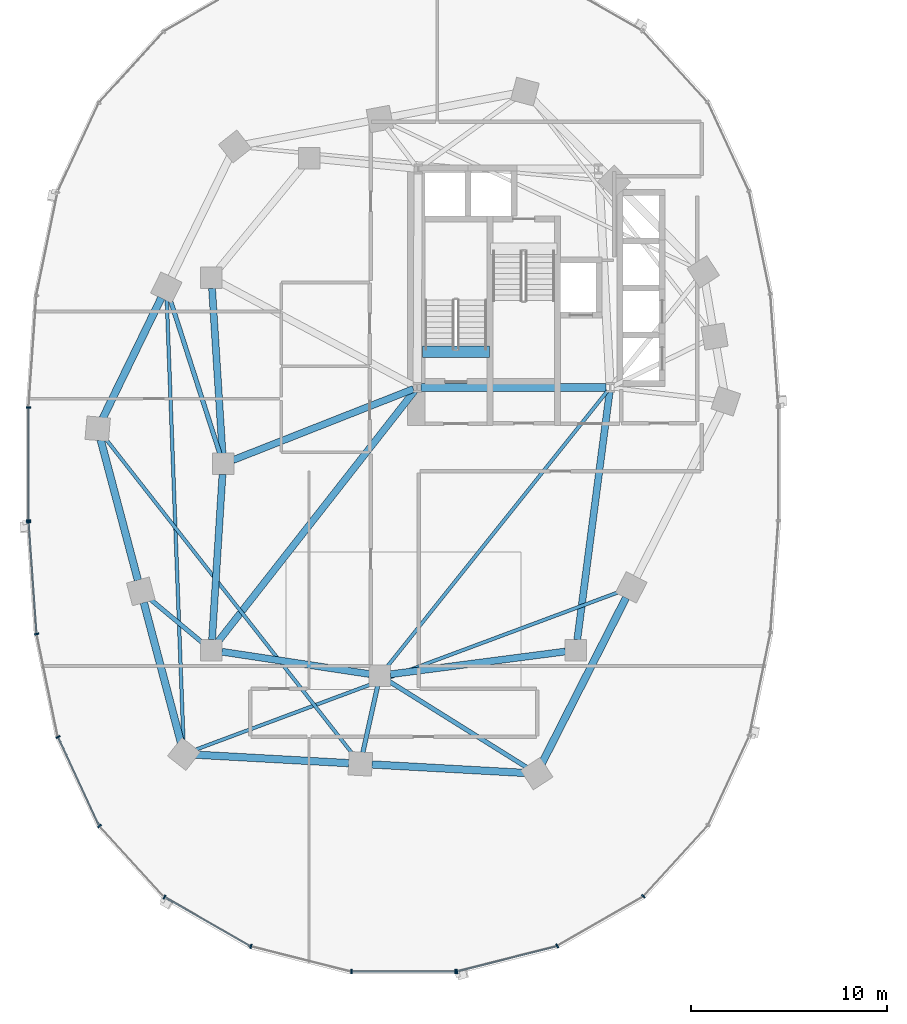
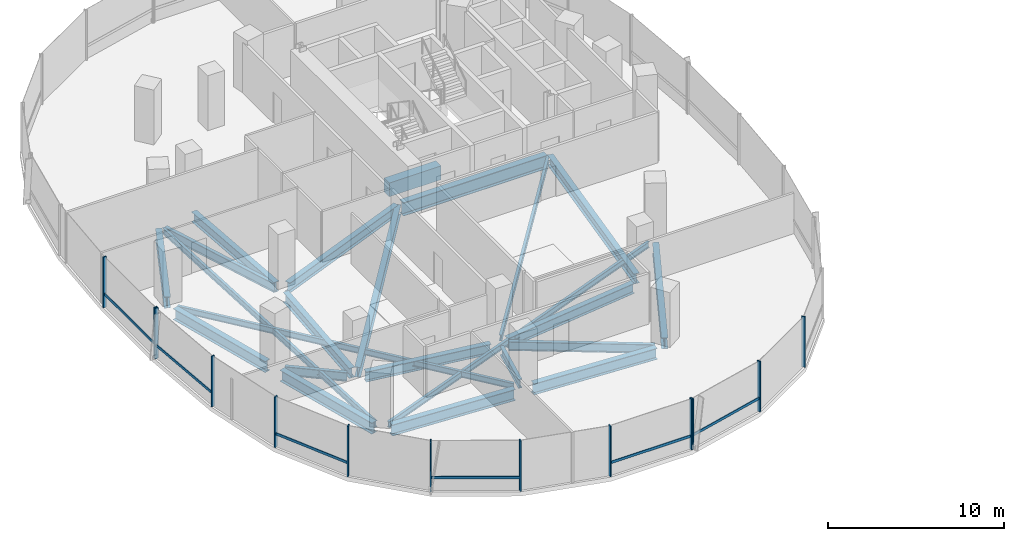
# One storey, part 2 of 21: 23 beams, 19 members, 3 elements without a shape of their own.
"""IFC4 building model written with IfcOpenShell, lengths in metres."""

import ifcopenshell
import ifcopenshell.guid

model = None  # the IFC model being written
_history = None  # IfcOwnerHistory: only IFC2X3 demands one
_inside = {}  # id of a spatial element -> (the spatial element, [elements in it])
_under = {}  # id of a project, library or spatial element -> (it, [spatial elements below it])
_declared = {}  # id of a project -> (the project, [libraries it declares])
_typed = {}  # id of a type object -> (the type object, [elements of that type])
_made_of = {}  # id of a material, layer set ... -> (it, [elements and type objects made of it])


def new_model(schema):
    """Start an empty IFC model of exactly this schema.

    Asked for "IFC4X3", IfcOpenShell would pick the latest addendum, in which some entities
    have other attributes; the version numbers below select the first issue.
    IFC2X3 requires an IfcOwnerHistory on every rooted entity: one is made here for all.
    """
    global model, _history
    if schema == "IFC4X3":
        model = ifcopenshell.file(schema_version=(4, 3, 0, 0))
    else:
        model = ifcopenshell.file(schema=schema)
    _inside.clear()
    _under.clear()
    _declared.clear()
    _typed.clear()
    _made_of.clear()
    _history = None
    if model.schema == "IFC2X3":
        org = make("IfcOrganization", Name="unknown")
        user = make(
            "IfcPersonAndOrganization",
            ThePerson=make("IfcPerson", FamilyName="unknown"),
            TheOrganization=org,
        )
        app = make(
            "IfcApplication",
            ApplicationDeveloper=org,
            Version="unknown",
            ApplicationFullName="unknown",
            ApplicationIdentifier="unknown",
        )
        _history = make(
            "IfcOwnerHistory",
            OwningUser=user,
            OwningApplication=app,
            ChangeAction="ADDED",
            CreationDate=0,
        )
    return model


def make(cls, **values):
    """One entity of the class cls with the attributes given. An attribute that is None is left unset."""
    return model.create_entity(
        cls, **{name: value for name, value in values.items() if value is not None}
    )


def rooted(cls, **values):
    """An entity with a GlobalId (a new one), such as an element, a storey or a relation."""
    return make(cls, GlobalId=ifcopenshell.guid.new(), OwnerHistory=_history, **values)


def si_unit(unit_type, name, prefix=None):
    """IfcSIUnit, for example si_unit("LENGTHUNIT", "METRE", prefix="MILLI")."""
    return make("IfcSIUnit", UnitType=unit_type, Prefix=prefix, Name=name)


def assignment(units):
    """IfcUnitAssignment: the units of a project."""
    return None if units is None else make("IfcUnitAssignment", Units=units)


def point(xyz):
    """IfcCartesianPoint."""
    return None if xyz is None else make("IfcCartesianPoint", Coordinates=xyz)


def direction(xyz):
    """IfcDirection."""
    return None if xyz is None else make("IfcDirection", DirectionRatios=xyz)


def frame(location, z_axis=None, x_axis=None):
    """IfcAxis2Placement3D, a coordinate frame: its origin and axes. An axis left out is left unset."""
    return make(
        "IfcAxis2Placement3D",
        Location=point(location),
        Axis=direction(z_axis),
        RefDirection=direction(x_axis),
    )


def frame_2d(location, x_axis=None):
    """IfcAxis2Placement2D, a coordinate frame in the plane: its origin and x axis."""
    return make(
        "IfcAxis2Placement2D", Location=point(location), RefDirection=direction(x_axis)
    )


def origin():
    """The frame at (0, 0, 0) with its axes left unset."""
    return frame((0.0, 0.0, 0.0))


def origin_2d():
    """The frame at (0, 0) in the plane with its x axis left unset."""
    return frame_2d((0.0, 0.0))


def place(relative_to, where):
    """IfcLocalPlacement: puts the frame where relative to a parent placement (None: the world)."""
    return make(
        "IfcLocalPlacement", PlacementRelTo=relative_to, RelativePlacement=where
    )


def context(
    kind, dimensions, precision=None, world=None, true_north=None, identifier=None
):
    """IfcGeometricRepresentationContext, for example the 3D "Model" context."""
    return make(
        "IfcGeometricRepresentationContext",
        ContextIdentifier=identifier,
        ContextType=kind,
        CoordinateSpaceDimension=dimensions,
        Precision=precision,
        WorldCoordinateSystem=world,
        TrueNorth=true_north,
    )


def subcontext(parent, identifier, kind, view, scale=None):
    """IfcGeometricRepresentationSubContext, for example "Body" below "Model"."""
    return make(
        "IfcGeometricRepresentationSubContext",
        ContextIdentifier=identifier,
        ContextType=kind,
        ParentContext=parent,
        TargetScale=scale,
        TargetView=view,
    )


def project(units=None, contexts=None):
    """IfcProject with its units and contexts."""
    return rooted(
        "IfcProject",
        Name="project",
        RepresentationContexts=contexts,
        UnitsInContext=assignment(units),
    )


def spatial(cls, under=None, at=None, **own):
    """A site, building, storey or space (cls), placed at a placement, below another one or the project."""
    s = rooted(cls, ObjectPlacement=at, **own)
    if under is not None:
        _under.setdefault(under.id(), (under, []))[1].append(s)
    return s


def profile(cls, at=None, kind="AREA", **sizes):
    """A parametric profile (cls). Its sizes go by their IFC names, for example OverallWidth=200.0."""
    return make(cls, ProfileType=kind, Position=at, **sizes)


def rectangle(**sizes):
    """IfcRectangleProfileDef."""
    return profile("IfcRectangleProfileDef", **sizes)


def i_section(**sizes):
    """IfcIShapeProfileDef."""
    return profile("IfcIShapeProfileDef", **sizes)


def extrude(swept, where, along, depth):
    """IfcExtrudedAreaSolid: the profile swept, set in the frame where, extruded along a direction by depth."""
    return make(
        "IfcExtrudedAreaSolid",
        SweptArea=swept,
        Position=where,
        ExtrudedDirection=direction(along),
        Depth=depth,
    )


def shape(context_of_items, identifier, shape_type, items):
    """IfcShapeRepresentation: the items that make up one representation, for example the "Body"."""
    return make(
        "IfcShapeRepresentation",
        ContextOfItems=context_of_items,
        RepresentationIdentifier=identifier,
        RepresentationType=shape_type,
        Items=items,
    )


def material(Name=None, Category=None):
    """IfcMaterial."""
    return make("IfcMaterial", Name=Name, Category=Category)


def material_profile(
    of_material, cross_section, Name=None, Category=None, Priority=None
):
    """IfcMaterialProfile: a cross section and its material."""
    return make(
        "IfcMaterialProfile",
        Name=Name,
        Material=of_material,
        Profile=cross_section,
        Priority=Priority,
        Category=Category,
    )


def profile_set(profiles, Name=None, composite=None):
    """IfcMaterialProfileSet."""
    return make(
        "IfcMaterialProfileSet",
        Name=Name,
        MaterialProfiles=profiles,
        CompositeProfile=composite,
    )


def made_of(thing, what):
    """Note that an element or type object is made of a material, layer set ...; save() writes the relation."""
    if what is not None:
        _made_of.setdefault(what.id(), (what, []))[1].append(thing)
    return thing


def type_object(cls, material=None, **own):
    """A type object (cls), such as IfcWallType, which elements share."""
    return made_of(rooted(cls, **own), material)


def element(
    cls,
    number,
    at=None,
    inside=None,
    cuts=None,
    type_object=None,
    material=None,
    context=None,
    identifier="Body",
    shape_type=None,
    held_by="IfcProductDefinitionShape",
    body=None,
    shapes=None,
    **own,
):
    """One element of the class cls, such as IfcWall. Its Tag is "e" and its number.

    at: its placement. inside: the storey or other place that contains it. cuts: it is an
    opening in that element (IfcRelVoidsElement). A single representation is given by context,
    identifier, shape_type and body (its items); several are given by shapes. held_by: the class
    of the entity that holds the representations. save() writes the other relations.
    """
    e = rooted(cls, Tag="e%d" % number, ObjectPlacement=at, **own)
    if body is not None:
        shapes = [shape(context, identifier, shape_type, body)]
    if shapes is not None:
        e.Representation = make(held_by, Representations=shapes)
    if inside is not None:
        _inside.setdefault(inside.id(), (inside, []))[1].append(e)
    if cuts is not None:
        rooted(
            "IfcRelVoidsElement", RelatingBuildingElement=cuts, RelatedOpeningElement=e
        )
    if type_object is not None:
        _typed.setdefault(type_object.id(), (type_object, []))[1].append(e)
    return made_of(e, material)


def aggregate(whole, parts):
    """IfcRelAggregates: a whole, such as a stair, and the parts it consists of."""
    return rooted("IfcRelAggregates", RelatingObject=whole, RelatedObjects=parts)


def save(model, path):
    """Write the relations noted so far, then the file.

    IfcRelAggregates (storeys below a building ...), IfcRelContainedInSpatialStructure (elements
    in a storey), IfcRelDefinesByType, IfcRelAssociatesMaterial and IfcRelDeclares: one each for
    every whole, place, type object, material and project.
    """
    for whole, parts in _under.values():
        aggregate(whole, parts)
    for where, things in _inside.values():
        rooted(
            "IfcRelContainedInSpatialStructure",
            RelatedElements=things,
            RelatingStructure=where,
        )
    for kind, things in _typed.values():
        rooted("IfcRelDefinesByType", RelatedObjects=things, RelatingType=kind)
    for what, things in _made_of.values():
        rooted("IfcRelAssociatesMaterial", RelatedObjects=things, RelatingMaterial=what)
    for by, libraries in _declared.values():
        rooted("IfcRelDeclares", RelatingContext=by, RelatedDefinitions=libraries)
    model.write(path)


model = new_model("IFC4")

# Units and contexts
model_context = context("Model", 3, precision=1e-05, world=origin(), true_north=direction((0.0, 1.0)))
body_context = subcontext(model_context, "Body", "Model", "MODEL_VIEW")
ifc_project = project(units=[si_unit("LENGTHUNIT", "METRE"), si_unit("AREAUNIT", "SQUARE_METRE"), si_unit("VOLUMEUNIT", "CUBIC_METRE"), si_unit("PLANEANGLEUNIT", "RADIAN"), si_unit("MASSUNIT", "GRAM", prefix="KILO"), si_unit("THERMODYNAMICTEMPERATUREUNIT", "KELVIN"), si_unit("POWERUNIT", "WATT")], contexts=[model_context])

# Site, building, storey
site_placement = place(None, origin())
site = spatial("IfcSite", under=ifc_project, at=site_placement, CompositionType="ELEMENT")
building_placement = place(site_placement, origin())
building = spatial("IfcBuilding", under=site, at=building_placement, Name="Cundina Bronze Exchange", CompositionType="ELEMENT")
storey_placement = place(building_placement, frame((0.0, 0.0, 46.800048828125)))
storey = spatial("IfcBuildingStorey", under=building, at=storey_placement, Name="L11", CompositionType="ELEMENT", Elevation=46.800048828125)

# Beams
ifc_material_1 = material(Name="Concrete C60/75", Category="concrete")
ifc_material_profile_1 = material_profile(ifc_material_1, rectangle(XDim=0.60009765625, YDim=0.949951171875, at=origin_2d()), Name="RC600X950", Category="concrete")
ifc_profile_set_1 = profile_set([ifc_material_profile_1], Name="Concrete C60/75")
beam_type_1 = type_object("IfcBeamType", Name="BM-COUP-RC950", PredefinedType="LINTEL", material=ifc_profile_set_1)
beam_1_placement = place(storey_placement, frame((-31.02001953125, 5.719970703125, -0.47509765625), z_axis=(1.0, 0.0, 0.0), x_axis=(0.0, 1.0, 0.0)))
element("IfcBeam", 1, at=beam_1_placement, inside=storey, type_object=beam_type_1, Name="L11 Stair W1 Landing Header Beam", PredefinedType="LINTEL", context=body_context, shape_type="SweptSolid", body=[
    extrude(rectangle(XDim=0.60009765625, YDim=0.949951171875, at=origin_2d()), origin(), (0.0, 0.0, 1.0), 3.39990234375),
])
ifc_material_2 = material(Name="Steel ASTM A992 Grade 50", Category="steel")
ifc_material_profile_2 = material_profile(ifc_material_2, i_section(OverallWidth=0.22998046875, OverallDepth=0.616943359375, WebThickness=0.01318359375, FlangeThickness=0.022216796875, FilletRadius=0.013916015625, at=origin_2d()), Name="W24X94", Category="steel")
ifc_profile_set_2 = profile_set([ifc_material_profile_2], Name="Steel ASTM A992 Grade 50")
beam_type_2 = type_object("IfcBeamType", Name="BM-FLR-W24B", PredefinedType="BEAM", material=ifc_profile_set_2)
beam_2_placement = place(storey_placement, frame((-41.364990234375, 0.51220703125, -0.608642578125), z_axis=(-0.306706454167, 0.951804155787, 0.0), x_axis=(-0.951804155787, -0.306706454167, 0.0)))
element("IfcBeam", 2, at=beam_2_placement, inside=storey, type_object=beam_type_2, Name="L11 Leg W Radial Floor Beam 07", PredefinedType="BEAM", context=body_context, shape_type="SweptSolid", body=[
    extrude(i_section(OverallWidth=0.22998046875, OverallDepth=0.616943359375, WebThickness=0.01318359375, FlangeThickness=0.022216796875, FilletRadius=0.013916015625, at=origin_2d()), origin(), (0.0, 0.0, 1.0), 8.329345703125),
])
beam_3_placement = place(storey_placement, frame((-42.21337890625, -9.155517578125, -0.608642578125), z_axis=(-0.768221279597, 0.640184399664, 0.0), x_axis=(-0.640184399664, -0.768221279597, 0.0)))
element("IfcBeam", 3, at=beam_3_placement, inside=storey, type_object=beam_type_2, Name="L11 Leg W Radial Floor Beam 09", PredefinedType="BEAM", context=body_context, shape_type="SweptSolid", body=[
    extrude(i_section(OverallWidth=0.22998046875, OverallDepth=0.616943359375, WebThickness=0.01318359375, FlangeThickness=0.022216796875, FilletRadius=0.013916015625, at=origin_2d()), origin(), (0.0, 0.0, 1.0), 3.56005859375),
])
beam_4_placement = place(storey_placement, frame((-33.316650390625, -11.3251953125, -0.608642578125), z_axis=(-0.216960137628, -0.976180464197, 0.0), x_axis=(0.976180464197, -0.216960137628, 0.0)))
element("IfcBeam", 4, at=beam_4_placement, inside=storey, type_object=beam_type_2, Name="L11 Leg W Radial Floor Beam 11", PredefinedType="BEAM", context=body_context, shape_type="SweptSolid", body=[
    extrude(i_section(OverallWidth=0.22998046875, OverallDepth=0.616943359375, WebThickness=0.01318359375, FlangeThickness=0.022216796875, FilletRadius=0.013916015625, at=origin_2d()), origin(), (0.0, 0.0, 1.0), 3.48388671875),
])
beam_5_placement = place(storey_placement, frame((-32.743896484375, -11.085205078125, -0.608642578125), z_axis=(0.848014812458, -0.529972525563, 0.0), x_axis=(0.529972525563, 0.848014812458, 0.0)))
element("IfcBeam", 5, at=beam_5_placement, inside=storey, type_object=beam_type_2, Name="L11 Leg W Radial Floor Beam 12", PredefinedType="BEAM", context=body_context, shape_type="SweptSolid", body=[
    extrude(i_section(OverallWidth=0.22998046875, OverallDepth=0.616943359375, WebThickness=0.01318359375, FlangeThickness=0.022216796875, FilletRadius=0.013916015625, at=origin_2d()), origin(), (0.0, 0.0, 1.0), 8.30810546875),
])
ifc_material_profile_3 = material_profile(ifc_material_2, i_section(OverallWidth=0.178955078125, OverallDepth=0.409912109375, WebThickness=0.0087890625, FlangeThickness=0.014404296875, FilletRadius=0.010986328125, at=origin_2d()), Name="W16X45", Category="steel")
ifc_profile_set_3 = profile_set([ifc_material_profile_3], Name="Steel ASTM A992 Grade 50")
beam_type_3 = type_object("IfcBeamType", Name="BM-JST-W16", PredefinedType="JOIST", material=ifc_profile_set_3)
beam_6_placement = place(storey_placement, frame((-21.577392578125, 3.740478515625, -0.505126953125), z_axis=(-0.62436887964, -0.781129632095, 0.0), x_axis=(0.781129632095, -0.62436887964, 0.0)))
element("IfcBeam", 6, at=beam_6_placement, inside=storey, type_object=beam_type_3, Name="L11 W Interior Core-to-Ring Joist 2", PredefinedType="JOIST", context=body_context, shape_type="SweptSolid", body=[
    extrude(i_section(OverallWidth=0.178955078125, OverallDepth=0.409912109375, WebThickness=0.0087890625, FlangeThickness=0.014404296875, FilletRadius=0.010986328125, at=origin_2d()), origin(), (0.0, 0.0, 1.0), 18.076904296875),
])
beam_7_placement = place(storey_placement, frame((-44.077880859375, 8.412353515625, -0.505126953125), z_axis=(0.037794949147, -0.999285515666, 0.0), x_axis=(0.999285515666, 0.037794949147, 0.0)))
element("IfcBeam", 7, at=beam_7_placement, inside=storey, type_object=beam_type_3, Name="L11 Leg W Lobe Floor Joist 07-10", PredefinedType="JOIST", context=body_context, shape_type="SweptSolid", body=[
    extrude(i_section(OverallWidth=0.178955078125, OverallDepth=0.409912109375, WebThickness=0.0087890625, FlangeThickness=0.014404296875, FilletRadius=0.010986328125, at=origin_2d()), origin(), (0.0, 0.0, 1.0), 22.640869140625),
])
beam_8_placement = place(storey_placement, frame((-47.2373046875, 1.337158203125, -0.505126953125), z_axis=(0.616803089524, -0.787117493614, 0.0), x_axis=(0.787117493614, 0.616803089524, 0.0)))
element("IfcBeam", 8, at=beam_8_placement, inside=storey, type_object=beam_type_3, Name="L11 Leg W Lobe Floor Joist 08-11", PredefinedType="JOIST", context=body_context, shape_type="SweptSolid", body=[
    extrude(i_section(OverallWidth=0.178955078125, OverallDepth=0.409912109375, WebThickness=0.0087890625, FlangeThickness=0.014404296875, FilletRadius=0.010986328125, at=origin_2d()), origin(), (0.0, 0.0, 1.0), 20.548828125),
])
beam_9_placement = place(storey_placement, frame((-42.64892578125, -14.5947265625, -0.505126953125), z_axis=(0.937127912449, 0.348986068074, 0.0), x_axis=(-0.348986068074, 0.937127912449, 0.0)))
element("IfcBeam", 9, at=beam_9_placement, inside=storey, type_object=beam_type_3, Name="L11 Leg W Lobe Floor Joist 10-13", PredefinedType="JOIST", context=body_context, shape_type="SweptSolid", body=[
    extrude(i_section(OverallWidth=0.178955078125, OverallDepth=0.409912109375, WebThickness=0.0087890625, FlangeThickness=0.014404296875, FilletRadius=0.010986328125, at=origin_2d()), origin(), (0.0, 0.0, 1.0), 23.18017578125),
])
ifc_material_profile_4 = material_profile(ifc_material_2, i_section(OverallWidth=0.35498046875, OverallDepth=0.695068359375, WebThickness=0.015380859375, FlangeThickness=0.02490234375, FilletRadius=0.01806640625, at=origin_2d()), Name="W27X146", Category="steel")
ifc_profile_set_4 = profile_set([ifc_material_profile_4], Name="Steel ASTM A992 Grade 50")
beam_type_4 = type_object("IfcBeamType", Name="BM-RING-W27", PredefinedType="USERDEFINED", material=ifc_profile_set_4)
for number, where, z_axis, x_axis, name in (
    (10, (-41.76611328125, 8.963134765625, -0.6474609375), (0.06303715519, -0.998011180832, 0.0), (0.998011180832, 0.06303715519, 0.0), "L11 W Inner Structural Ring Girder 03"),
    (11, (-41.23388671875, -0.536865234375, -0.6474609375), (-0.06303715519, -0.998011180832, 0.0), (0.998011180832, -0.06303715519, 0.0), "L11 W Inner Structural Ring Girder 04"),
):
    element("IfcBeam", number, at=place(storey_placement, frame(where, z_axis=z_axis, x_axis=x_axis)), inside=storey, type_object=beam_type_4, Name=name, ObjectType="GIRDER", PredefinedType="USERDEFINED", context=body_context, shape_type="SweptSolid", body=[
        extrude(i_section(OverallWidth=0.35498046875, OverallDepth=0.695068359375, WebThickness=0.015380859375, FlangeThickness=0.02490234375, FilletRadius=0.01806640625, at=origin_2d()), origin(), (0.0, 0.0, 1.0), 8.443115234375),
    ])
beam_10_placement = place(storey_placement, frame((-41.26806640625, -9.580322265625, -0.6474609375), z_axis=(0.988767489563, -0.149461873341, 0.0), x_axis=(0.149461873341, 0.988767489563, 0.0)))
element("IfcBeam", 12, at=beam_10_placement, inside=storey, type_object=beam_type_4, Name="L11 W Inner Structural Ring Girder 05", ObjectType="GIRDER", PredefinedType="USERDEFINED", context=body_context, shape_type="SweptSolid", body=[
    extrude(i_section(OverallWidth=0.35498046875, OverallDepth=0.695068359375, WebThickness=0.015380859375, FlangeThickness=0.02490234375, FilletRadius=0.01806640625, at=origin_2d()), origin(), (0.0, 0.0, 1.0), 7.621826171875),
])
beam_11_placement = place(storey_placement, frame((-32.66650390625, -10.730712890625, -0.6474609375), z_axis=(0.991654577907, 0.128923225666, 0.0), x_axis=(-0.128923225666, 0.991654577907, 0.0)))
element("IfcBeam", 13, at=beam_11_placement, inside=storey, type_object=beam_type_4, Name="L11 W Inner Structural Ring Girder 06", ObjectType="GIRDER", PredefinedType="USERDEFINED", context=body_context, shape_type="SweptSolid", body=[
    extrude(i_section(OverallWidth=0.35498046875, OverallDepth=0.695068359375, WebThickness=0.015380859375, FlangeThickness=0.02490234375, FilletRadius=0.01806640625, at=origin_2d()), origin(), (0.0, 0.0, 1.0), 9.00830078125),
])
beam_12_placement = place(storey_placement, frame((-23.13037109375, -8.966552734375, -0.6474609375), z_axis=(0.129507526533, 0.99157843894, 0.0), x_axis=(-0.99157843894, 0.129507526533, 0.0)))
element("IfcBeam", 14, at=beam_12_placement, inside=storey, type_object=beam_type_4, Name="L11 W Inner Structural Ring Girder 07", ObjectType="GIRDER", PredefinedType="USERDEFINED", context=body_context, shape_type="SweptSolid", body=[
    extrude(i_section(OverallWidth=0.35498046875, OverallDepth=0.695068359375, WebThickness=0.015380859375, FlangeThickness=0.02490234375, FilletRadius=0.01806640625, at=origin_2d()), origin(), (0.0, 0.0, 1.0), 12.77197265625),
])
beam_13_placement = place(storey_placement, frame((-31.48974609375, 3.8251953125, -0.6474609375), z_axis=(-0.930413235418, -0.366512225388, 0.0), x_axis=(0.366512225388, -0.930413235418, 0.0)))
element("IfcBeam", 15, at=beam_13_placement, inside=storey, type_object=beam_type_4, Name="L11 W Core-to-Waist Tie Beam 1", ObjectType="GIRDER", PredefinedType="USERDEFINED", context=body_context, shape_type="SweptSolid", body=[
    extrude(i_section(OverallWidth=0.35498046875, OverallDepth=0.695068359375, WebThickness=0.015380859375, FlangeThickness=0.02490234375, FilletRadius=0.01806640625, at=origin_2d()), origin(), (0.0, 0.0, 1.0), 9.8984375),
])
beam_14_placement = place(storey_placement, frame((-31.42578125, 3.739501953125, -0.6474609375), z_axis=(-0.616789275748, -0.787128318206, 0.0), x_axis=(0.787128318206, -0.616789275748, 0.0)))
element("IfcBeam", 16, at=beam_14_placement, inside=storey, type_object=beam_type_4, Name="L11 W Core-to-Waist Tie Beam 3", ObjectType="GIRDER", PredefinedType="USERDEFINED", context=body_context, shape_type="SweptSolid", body=[
    extrude(i_section(OverallWidth=0.35498046875, OverallDepth=0.695068359375, WebThickness=0.015380859375, FlangeThickness=0.02490234375, FilletRadius=0.01806640625, at=origin_2d()), origin(), (0.0, 0.0, 1.0), 16.281982421875),
])
ifc_material_profile_5 = material_profile(ifc_material_2, i_section(OverallWidth=0.381103515625, OverallDepth=0.77294921875, WebThickness=0.0166015625, FlangeThickness=0.027099609375, FilletRadius=0.01904296875, at=origin_2d()), Name="W30X173", Category="steel")
ifc_profile_set_5 = profile_set([ifc_material_profile_5], Name="Steel ASTM A992 Grade 50")
beam_type_5 = type_object("IfcBeamType", Name="BM-RING-W30", PredefinedType="USERDEFINED", material=ifc_profile_set_5)
beam_15_placement = place(storey_placement, frame((-44.357177734375, 8.47119140625, -0.6865234375), z_axis=(-0.437190698904, -0.899368830231, 0.0), x_axis=(0.899368830231, -0.437190698904, 0.0)))
element("IfcBeam", 17, at=beam_15_placement, inside=storey, type_object=beam_type_5, Name="L11 W Perimeter Ring Girder 07", ObjectType="GIRDER", PredefinedType="USERDEFINED", context=body_context, shape_type="SweptSolid", body=[
    extrude(i_section(OverallWidth=0.381103515625, OverallDepth=0.77294921875, WebThickness=0.0166015625, FlangeThickness=0.027099609375, FilletRadius=0.01904296875, at=origin_2d()), origin(), (0.0, 0.0, 1.0), 6.82958984375),
])
for number, where, z_axis, x_axis, name in (
    (18, (-47.44921875, 1.231689453125, -0.6865234375), (0.256177785604, -0.966629682021, 0.0), (0.966629682021, 0.256177785604, 0.0), "L11 W Perimeter Ring Girder 08"),
    (19, (-45.249267578125, -7.068359375, -0.6865234375), (0.256208567826, -0.966621523541, 0.0), (0.966621523541, 0.256208567826, 0.0), "L11 W Perimeter Ring Girder 09"),
):
    element("IfcBeam", number, at=place(storey_placement, frame(where, z_axis=z_axis, x_axis=x_axis)), inside=storey, type_object=beam_type_5, Name=name, ObjectType="GIRDER", PredefinedType="USERDEFINED", context=body_context, shape_type="SweptSolid", body=[
        extrude(i_section(OverallWidth=0.381103515625, OverallDepth=0.77294921875, WebThickness=0.0166015625, FlangeThickness=0.027099609375, FilletRadius=0.01904296875, at=origin_2d()), origin(), (0.0, 0.0, 1.0), 7.41064453125),
    ])
for number, where, z_axis, x_axis, name in (
    (20, (-42.61279296875, -14.83251953125, -0.6865234375), (0.998459969805, -0.055476920391, 0.0), (0.055476920391, 0.998459969805, 0.0), "L11 W Perimeter Ring Girder 10"),
    (21, (-33.61279296875, -15.33251953125, -0.6865234375), (0.998459969805, -0.055476920391, 0.0), (0.055476920391, 0.998459969805, 0.0), "L11 W Perimeter Ring Girder 11"),
):
    element("IfcBeam", number, at=place(storey_placement, frame(where, z_axis=z_axis, x_axis=x_axis)), inside=storey, type_object=beam_type_5, Name=name, ObjectType="GIRDER", PredefinedType="USERDEFINED", context=body_context, shape_type="SweptSolid", body=[
        extrude(i_section(OverallWidth=0.381103515625, OverallDepth=0.77294921875, WebThickness=0.0166015625, FlangeThickness=0.027099609375, FilletRadius=0.01904296875, at=origin_2d()), origin(), (0.0, 0.0, 1.0), 7.837646484375),
    ])
beam_16_placement = place(storey_placement, frame((-24.93359375, -15.275634765625, -0.6865234375), z_axis=(0.452819633606, 0.891602141889, 0.0), x_axis=(-0.891602141889, 0.452819633606, 0.0)))
element("IfcBeam", 22, at=beam_16_placement, inside=storey, type_object=beam_type_5, Name="L11 W Perimeter Ring Girder 12", ObjectType="GIRDER", PredefinedType="USERDEFINED", context=body_context, shape_type="SweptSolid", body=[
    extrude(i_section(OverallWidth=0.381103515625, OverallDepth=0.77294921875, WebThickness=0.0166015625, FlangeThickness=0.027099609375, FilletRadius=0.01904296875, at=origin_2d()), origin(), (0.0, 0.0, 1.0), 9.47900390625),
])
ifc_material_profile_6 = material_profile(ifc_material_2, i_section(OverallWidth=0.41796875, OverallDepth=0.927001953125, WebThickness=0.019287109375, FlangeThickness=0.031982421875, FilletRadius=0.02392578125, at=origin_2d()), Name="W36X231", Category="steel")
ifc_profile_set_6 = profile_set([ifc_material_profile_6], Name="Steel ASTM A992 Grade 50")
beam_type_6 = type_object("IfcBeamType", Name="BM-WRN-W36B", PredefinedType="USERDEFINED", material=ifc_profile_set_6)
beam_17_placement = place(storey_placement, frame((-31.095947265625, 3.89990234375, -0.763427734375), z_axis=(1.0, 0.0, 0.0), x_axis=(0.0, 1.0, 0.0)))
element("IfcBeam", 23, at=beam_17_placement, inside=storey, type_object=beam_type_6, Name="L11 W Core Perimeter Tie Girder 1", ObjectType="GIRDER", PredefinedType="USERDEFINED", context=body_context, shape_type="SweptSolid", body=[
    extrude(i_section(OverallWidth=0.41796875, OverallDepth=0.927001953125, WebThickness=0.019287109375, FlangeThickness=0.031982421875, FilletRadius=0.02392578125, at=origin_2d()), origin(), (0.0, 0.0, 1.0), 9.44189453125),
])

# Curtain wall, members
ifc_material_3 = material(Name="Anodised Bronze Aluminium 6063-T6", Category="aluminium")
curtain_wall_type = type_object("IfcCurtainWallType", Name="CWS-TRD-LOW", PredefinedType="NOTDEFINED", material=ifc_material_3)
curtain_wall_1_placement = place(storey_placement, origin())
curtain_wall_1 = element("IfcCurtainWall", 24, at=curtain_wall_1_placement, inside=storey, type_object=curtain_wall_type, Name="L11 CW-02 Curtain Wall Run CWR-L11-W2", PredefinedType="NOTDEFINED")
ifc_material_profile_7 = material_profile(ifc_material_3, rectangle(XDim=0.074951171875, YDim=0.219970703125, at=origin_2d()), Name="AL75X220", Category="aluminium")
ifc_profile_set_7 = profile_set([ifc_material_profile_7], Name="Anodised Bronze Aluminium 6063-T6")
member_type_1 = type_object("IfcMemberType", Name="CWM-MUL-220", PredefinedType="MULLION", material=ifc_profile_set_7)
member_1_placement = place(storey_placement, frame((-51.1279296875, 2.880615234375, 0.0), z_axis=(0.0, 0.0, 1.0), x_axis=(0.0, -1.0, 0.0)))
member_1 = element("IfcMember", 25, at=member_1_placement, type_object=member_type_1, Name="CW-02 Mullion 7", PredefinedType="MULLION", context=body_context, shape_type="SweptSolid", body=[
    extrude(rectangle(XDim=0.074951171875, YDim=0.219970703125, at=origin_2d()), origin(), (0.0, 0.0, 1.0), 3.5),
])
member_2_placement = place(storey_placement, frame((-51.1279296875, -2.880615234375, 0.0), z_axis=(0.0, 0.0, 1.0), x_axis=(0.0, -1.0, 0.0)))
member_2 = element("IfcMember", 26, at=member_2_placement, type_object=member_type_1, Name="CW-02 End Mullion", PredefinedType="MULLION", context=body_context, shape_type="SweptSolid", body=[
    extrude(rectangle(XDim=0.074951171875, YDim=0.219970703125, at=origin_2d()), origin(), (0.0, 0.0, 1.0), 3.5),
])

curtain_wall_2_placement = place(storey_placement, origin())
curtain_wall_2 = element("IfcCurtainWall", 27, at=curtain_wall_2_placement, inside=storey, type_object=curtain_wall_type, Name="L11 CW-02 Curtain Wall Run CWR-L11-W3", PredefinedType="NOTDEFINED")
member_3_placement = place(storey_placement, frame((-51.12451171875, -2.976318359375, 0.0), z_axis=(0.0, 0.0, 1.0), x_axis=(0.070278787473, -0.997527389113, 0.0)))
member_3 = element("IfcMember", 28, at=member_3_placement, type_object=member_type_1, Name="CW-02 Mullion 1", PredefinedType="MULLION", context=body_context, shape_type="SweptSolid", body=[
    extrude(rectangle(XDim=0.074951171875, YDim=0.219970703125, at=origin_2d()), origin(), (0.0, 0.0, 1.0), 3.5),
])
member_4_placement = place(storey_placement, frame((-50.717041015625, -8.67822265625, 0.0), z_axis=(0.0, 0.0, 1.0), x_axis=(0.201419845156, -0.979505000486, 0.0)))
member_4 = element("IfcMember", 29, at=member_4_placement, type_object=member_type_1, Name="CW-02 Mullion 2", PredefinedType="MULLION", context=body_context, shape_type="SweptSolid", body=[
    extrude(rectangle(XDim=0.074951171875, YDim=0.219970703125, at=origin_2d()), origin(), (0.0, 0.0, 1.0), 3.5),
])
member_5_placement = place(storey_placement, frame((-49.6279296875, -13.931884765625, 0.0), z_axis=(0.0, 0.0, 1.0), x_axis=(0.42087749791, -0.907117485088, 0.0)))
member_5 = element("IfcMember", 30, at=member_5_placement, type_object=member_type_1, Name="CW-02 Mullion 3", PredefinedType="MULLION", context=body_context, shape_type="SweptSolid", body=[
    extrude(rectangle(XDim=0.074951171875, YDim=0.219970703125, at=origin_2d()), origin(), (0.0, 0.0, 1.0), 3.5),
])
member_6_placement = place(storey_placement, frame((-47.508544921875, -18.47705078125, 0.0), z_axis=(0.0, 0.0, 1.0), x_axis=(0.674302387584, -0.738455340626, 0.0)))
member_6 = element("IfcMember", 31, at=member_6_placement, type_object=member_type_1, Name="CW-02 Mullion 4", PredefinedType="MULLION", context=body_context, shape_type="SweptSolid", body=[
    extrude(rectangle(XDim=0.074951171875, YDim=0.219970703125, at=origin_2d()), origin(), (0.0, 0.0, 1.0), 3.5),
])
member_7_placement = place(storey_placement, frame((-44.189697265625, -22.097412109375, 0.0), z_axis=(0.0, 0.0, 1.0), x_axis=(0.867070701164, -0.498185105339, 0.0)))
member_7 = element("IfcMember", 32, at=member_7_placement, type_object=member_type_1, Name="CW-02 Mullion 5", PredefinedType="MULLION", context=body_context, shape_type="SweptSolid", body=[
    extrude(rectangle(XDim=0.074951171875, YDim=0.219970703125, at=origin_2d()), origin(), (0.0, 0.0, 1.0), 3.5),
])
member_8_placement = place(storey_placement, frame((-39.78515625, -24.61669921875, 0.0), z_axis=(0.0, 0.0, 1.0), x_axis=(0.969488149345, -0.245138182011, 0.0)))
member_8 = element("IfcMember", 33, at=member_8_placement, type_object=member_type_1, Name="CW-02 Mullion 6", PredefinedType="MULLION", context=body_context, shape_type="SweptSolid", body=[
    extrude(rectangle(XDim=0.074951171875, YDim=0.219970703125, at=origin_2d()), origin(), (0.0, 0.0, 1.0), 3.5),
])
member_9_placement = place(storey_placement, frame((-34.654541015625, -25.905029296875, 0.0), z_axis=(0.0, 0.0, 1.0), x_axis=(1.0, 0.0, 0.0)))
member_9 = element("IfcMember", 34, at=member_9_placement, type_object=member_type_1, Name="CW-02 Mullion 7", PredefinedType="MULLION", context=body_context, shape_type="SweptSolid", body=[
    extrude(rectangle(XDim=0.074951171875, YDim=0.219970703125, at=origin_2d()), origin(), (0.0, 0.0, 1.0), 3.5),
])
member_10_placement = place(storey_placement, frame((-29.345458984375, -25.905029296875, 0.0), z_axis=(0.0, 0.0, 1.0), x_axis=(1.0, 0.0, 0.0)))
member_10 = element("IfcMember", 35, at=member_10_placement, type_object=member_type_1, Name="CW-02 End Mullion", PredefinedType="MULLION", context=body_context, shape_type="SweptSolid", body=[
    extrude(rectangle(XDim=0.074951171875, YDim=0.219970703125, at=origin_2d()), origin(), (0.0, 0.0, 1.0), 3.5),
])

curtain_wall_3_placement = place(storey_placement, origin())
curtain_wall_3 = element("IfcCurtainWall", 36, at=curtain_wall_3_placement, inside=storey, type_object=curtain_wall_type, Name="L11 CW-02 Curtain Wall Run CWR-L11-W4", PredefinedType="NOTDEFINED")
member_11_placement = place(storey_placement, frame((-29.27392578125, -25.89599609375, 0.0), z_axis=(0.0, 0.0, 1.0), x_axis=(0.969488149345, 0.245138182011, 0.0)))
member_11 = element("IfcMember", 37, at=member_11_placement, type_object=member_type_1, Name="CW-02 Mullion 1", PredefinedType="MULLION", context=body_context, shape_type="SweptSolid", body=[
    extrude(rectangle(XDim=0.074951171875, YDim=0.219970703125, at=origin_2d()), origin(), (0.0, 0.0, 1.0), 3.5),
])
member_12_placement = place(storey_placement, frame((-24.151123046875, -24.591064453125, 0.0), z_axis=(0.0, 0.0, 1.0), x_axis=(0.867070701164, 0.498185105339, 0.0)))
member_12 = element("IfcMember", 38, at=member_12_placement, type_object=member_type_1, Name="CW-02 Mullion 2", PredefinedType="MULLION", context=body_context, shape_type="SweptSolid", body=[
    extrude(rectangle(XDim=0.074951171875, YDim=0.219970703125, at=origin_2d()), origin(), (0.0, 0.0, 1.0), 3.5),
])
member_13_placement = place(storey_placement, frame((-19.760498046875, -22.0576171875, 0.0), z_axis=(0.0, 0.0, 1.0), x_axis=(0.674302387584, 0.738455340626, 0.0)))
member_13 = element("IfcMember", 39, at=member_13_placement, type_object=member_type_1, Name="CW-02 Mullion 3", PredefinedType="MULLION", context=body_context, shape_type="SweptSolid", body=[
    extrude(rectangle(XDim=0.074951171875, YDim=0.219970703125, at=origin_2d()), origin(), (0.0, 0.0, 1.0), 3.5),
])

# Member
ifc_material_profile_8 = material_profile(ifc_material_3, rectangle(XDim=0.070068359375, YDim=0.179931640625, at=origin_2d()), Name="AL70X180", Category="aluminium")
ifc_profile_set_8 = profile_set([ifc_material_profile_8], Name="Anodised Bronze Aluminium 6063-T6")
member_type_2 = type_object("IfcMemberType", Name="CWM-TRN-180", PredefinedType="USERDEFINED", material=ifc_profile_set_8)
member_14_placement = place(storey_placement, frame((-51.1279296875, 2.839111328125, 0.919921875), z_axis=(0.0, -1.0, 0.0), x_axis=(1.0, 0.0, 0.0)))
member_14 = element("IfcMember", 40, at=member_14_placement, type_object=member_type_2, Name="CW-02 Spandrel Transom 7", ObjectType="TRANSOM", PredefinedType="USERDEFINED", context=body_context, shape_type="SweptSolid", body=[
    extrude(rectangle(XDim=0.070068359375, YDim=0.179931640625, at=origin_2d()), origin(), (0.0, 0.0, 1.0), 5.67822265625),
])

aggregate(curtain_wall_1, [member_1, member_2, member_14])

member_15_placement = place(storey_placement, frame((-51.12158203125, -3.017333984375, 0.919921875), z_axis=(0.070260714471, -0.997528662246, 0.0), x_axis=(0.997528662246, 0.070260714471, 0.0)))
member_15 = element("IfcMember", 41, at=member_15_placement, type_object=member_type_2, Name="CW-02 Spandrel Transom 1", ObjectType="TRANSOM", PredefinedType="USERDEFINED", context=body_context, shape_type="SweptSolid", body=[
    extrude(rectangle(XDim=0.070068359375, YDim=0.179931640625, at=origin_2d()), origin(), (0.0, 0.0, 1.0), 5.629150390625),
])

member_16_placement = place(storey_placement, frame((-49.610595703125, -13.96923828125, 0.919921875), z_axis=(0.420811422796, -0.907148139195, 0.0), x_axis=(0.907148139195, 0.420811422796, 0.0)))
member_16 = element("IfcMember", 42, at=member_16_placement, type_object=member_type_2, Name="CW-02 Spandrel Transom 3", ObjectType="TRANSOM", PredefinedType="USERDEFINED", context=body_context, shape_type="SweptSolid", body=[
    extrude(rectangle(XDim=0.070068359375, YDim=0.179931640625, at=origin_2d()), origin(), (0.0, 0.0, 1.0), 4.95166015625),
])

member_17_placement = place(storey_placement, frame((-44.154052734375, -22.117919921875, 0.919921875), z_axis=(0.867097475651, -0.498138502546, 0.0), x_axis=(0.498138502546, 0.867097475651, 0.0)))
member_17 = element("IfcMember", 43, at=member_17_placement, type_object=member_type_2, Name="CW-02 Spandrel Transom 5", ObjectType="TRANSOM", PredefinedType="USERDEFINED", context=body_context, shape_type="SweptSolid", body=[
    extrude(rectangle(XDim=0.070068359375, YDim=0.179931640625, at=origin_2d()), origin(), (0.0, 0.0, 1.0), 5.00634765625),
])

member_18_placement = place(storey_placement, frame((-34.61328125, -25.905029296875, 0.919921875), z_axis=(1.0, 0.0, 0.0), x_axis=(0.0, 1.0, 0.0)))
member_18 = element("IfcMember", 44, at=member_18_placement, type_object=member_type_2, Name="CW-02 Spandrel Transom 7", ObjectType="TRANSOM", PredefinedType="USERDEFINED", context=body_context, shape_type="SweptSolid", body=[
    extrude(rectangle(XDim=0.070068359375, YDim=0.179931640625, at=origin_2d()), origin(), (0.0, 0.0, 1.0), 5.2265625),
])

aggregate(curtain_wall_2, [member_3, member_15, member_4, member_5, member_16, member_6, member_7, member_17, member_8, member_9, member_10, member_18])

member_19_placement = place(storey_placement, frame((-29.23388671875, -25.885986328125, 0.919921875), z_axis=(0.969483968866, 0.245154714644, 0.0), x_axis=(-0.245154714644, 0.969483968866, 0.0)))
member_19 = element("IfcMember", 45, at=member_19_placement, type_object=member_type_2, Name="CW-02 Spandrel Transom 1", ObjectType="TRANSOM", PredefinedType="USERDEFINED", context=body_context, shape_type="SweptSolid", body=[
    extrude(rectangle(XDim=0.070068359375, YDim=0.179931640625, at=origin_2d()), origin(), (0.0, 0.0, 1.0), 5.21826171875),
])

aggregate(curtain_wall_3, [member_11, member_19, member_12, member_13])

save(model, "model.ifc")
